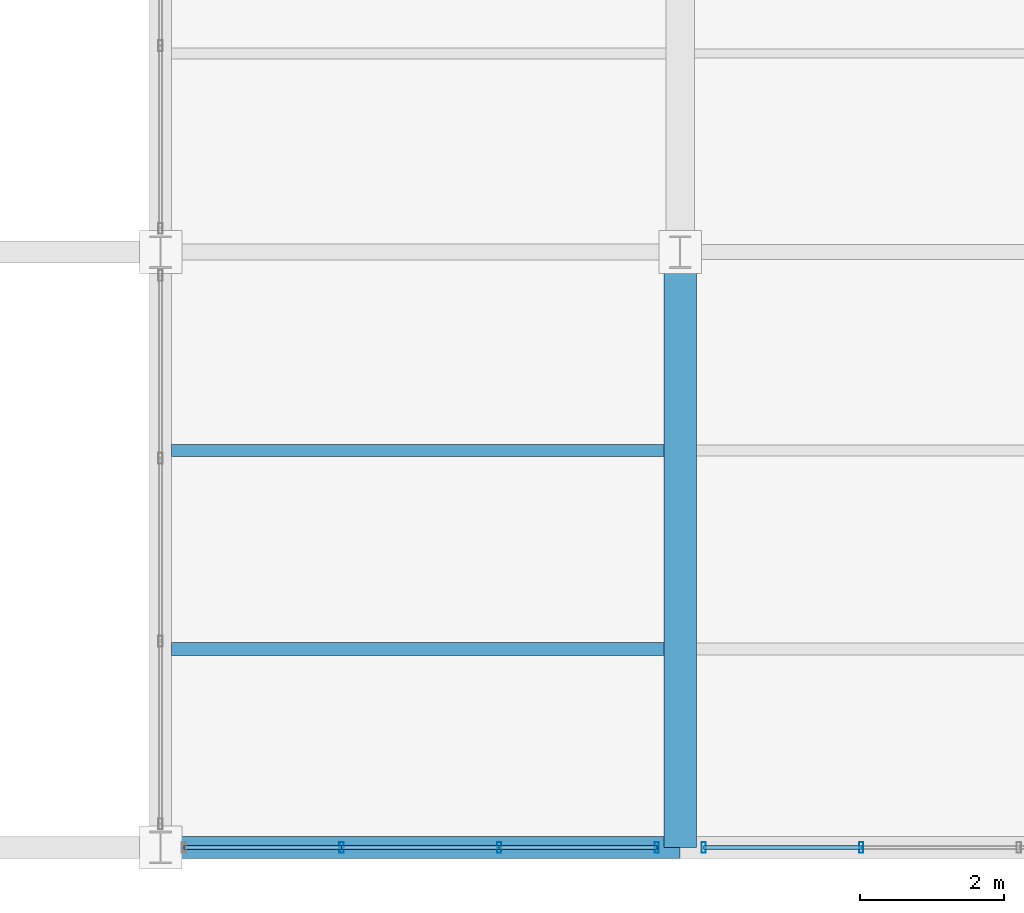
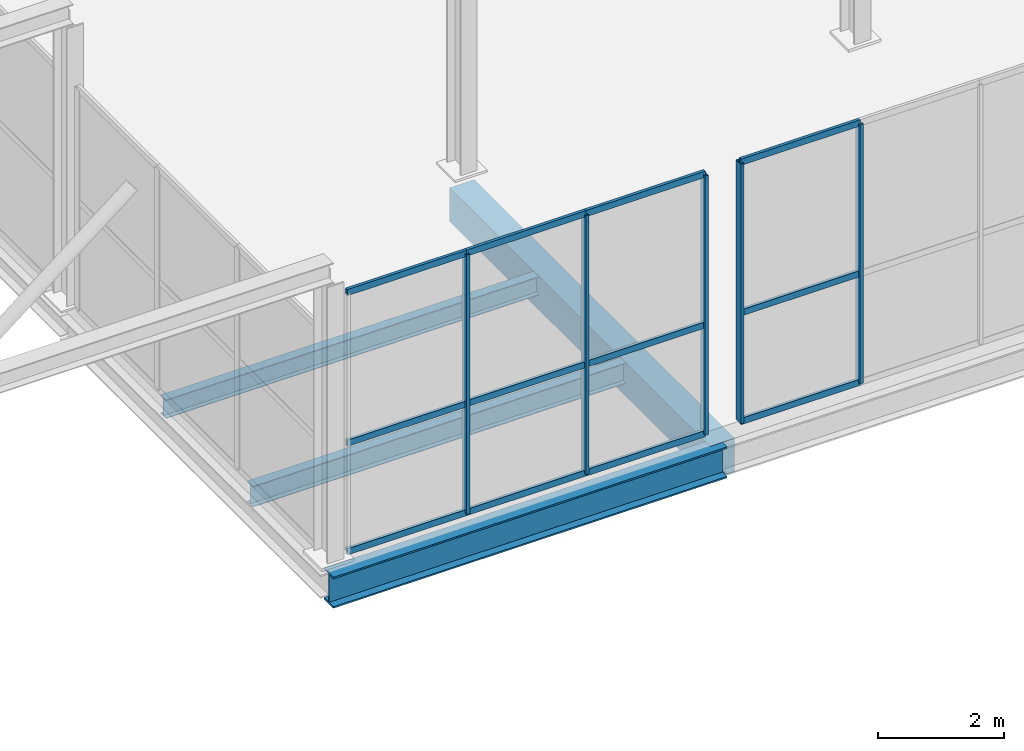
# One storey, part 27 of 147: 17 members, 4 beams, 2 elements without a shape of their own.
"""IFC4 building model written with IfcOpenShell, lengths in metres."""

from ifc_helpers import new_model, si_unit, direction, frame, origin, origin_2d, place, context, subcontext, project, spatial, rectangle, hollow_rectangle, i_section, extrude, material, layer, layer_set, material_profile, profile_set, type_object, element, aggregate, save


model = new_model("IFC4")

# Units and contexts
model_context = context("Model", 3, precision=1e-05, world=origin(), true_north=direction((0.0, 1.0)))
body_context = subcontext(model_context, "Body", "Model", "MODEL_VIEW")
ifc_project = project(units=[si_unit("LENGTHUNIT", "METRE"), si_unit("AREAUNIT", "SQUARE_METRE"), si_unit("VOLUMEUNIT", "CUBIC_METRE"), si_unit("PLANEANGLEUNIT", "RADIAN"), si_unit("MASSUNIT", "GRAM", prefix="KILO")], contexts=[model_context])

# Site, building, storey
site_placement = place(None, origin())
site = spatial("IfcSite", under=ifc_project, at=site_placement, CompositionType="ELEMENT")
building_placement = place(site_placement, origin())
building = spatial("IfcBuilding", under=site, at=building_placement, Name="Sundgate Opera House", CompositionType="ELEMENT")
storey_placement = place(building_placement, frame((0.0, 0.0, 6.0)))
storey = spatial("IfcBuildingStorey", under=building, at=storey_placement, Name="L01", CompositionType="ELEMENT", Elevation=6.0)

# Beams
ifc_material_1 = material(Name="Steel S355J2", Category="steel")
ifc_material_profile_1 = material_profile(ifc_material_1, i_section(OverallWidth=0.300048828125, OverallDepth=0.60009765625, WebThickness=0.015380859375, FlangeThickness=0.030029296875, at=origin_2d()), Name="HEB 600")
ifc_profile_set_1 = profile_set([ifc_material_profile_1], Name="Steel S355J2")
beam_type_1 = type_object("IfcBeamType", Name="BM-GR-HEB600", PredefinedType="BEAM", material=ifc_profile_set_1)
beam_1_placement = place(storey_placement, frame((95.39990234375, 0.0, -0.60009765625), z_axis=(1.0, 0.0, 0.0), x_axis=(0.0, 1.0, 0.0)))
element("IfcBeam", 1, at=beam_1_placement, inside=storey, type_object=beam_type_1, Name="L01 Primary E-W Girder B1272", PredefinedType="BEAM", context=body_context, shape_type="SweptSolid", body=[
    extrude(i_section(OverallWidth=0.300048828125, OverallDepth=0.60009765625, WebThickness=0.015380859375, FlangeThickness=0.030029296875, at=origin_2d()), origin(), (0.0, 0.0, 1.0), 7.2001953125),
])
ifc_material_2 = material(Name="Steel S355J2", Category="steel")
ifc_material_profile_2 = material_profile(ifc_material_2, i_section(OverallWidth=0.169921875, OverallDepth=0.360107421875, WebThickness=0.008056640625, FlangeThickness=0.0126953125, at=origin_2d()), Name="IPE 360")
ifc_profile_set_2 = profile_set([ifc_material_profile_2], Name="Steel S355J2")
beam_type_2 = type_object("IfcBeamType", Name="BM-JS-IPE360", PredefinedType="JOIST", material=ifc_profile_set_2)
beam_2_placement = place(storey_placement, frame((95.550048828125, 5.5, -0.47998046875), z_axis=(1.0, 0.0, 0.0), x_axis=(0.0, 1.0, 0.0)))
element("IfcBeam", 2, at=beam_2_placement, inside=storey, type_object=beam_type_2, Name="L01 Secondary Floor Joist B1479", PredefinedType="JOIST", context=body_context, shape_type="SweptSolid", body=[
    extrude(i_section(OverallWidth=0.169921875, OverallDepth=0.360107421875, WebThickness=0.008056640625, FlangeThickness=0.0126953125, at=origin_2d()), origin(), (0.0, 0.0, 1.0), 6.824951171875),
])
ifc_material_3 = material(Name="Steel S355J2", Category="steel")
ifc_material_profile_3 = material_profile(ifc_material_3, i_section(OverallWidth=0.179931640625, OverallDepth=0.39990234375, WebThickness=0.008544921875, FlangeThickness=0.013427734375, at=origin_2d()), Name="IPE 400")
ifc_profile_set_3 = profile_set([ifc_material_profile_3], Name="Steel S355J2")
beam_type_3 = type_object("IfcBeamType", Name="BM-JS-IPE400", PredefinedType="JOIST", material=ifc_profile_set_3)
beam_3_placement = place(storey_placement, frame((95.550048828125, 2.75, -0.5), z_axis=(1.0, 0.0, 0.0), x_axis=(0.0, 1.0, 0.0)))
element("IfcBeam", 3, at=beam_3_placement, inside=storey, type_object=beam_type_3, Name="L01 Secondary Floor Joist B1478", PredefinedType="JOIST", context=body_context, shape_type="SweptSolid", body=[
    extrude(i_section(OverallWidth=0.179931640625, OverallDepth=0.39990234375, WebThickness=0.008544921875, FlangeThickness=0.013427734375, at=origin_2d()), origin(), (0.0, 0.0, 1.0), 6.824951171875),
])
ifc_material_4 = material(Name="Concrete C35/45", Category="concrete")
ifc_material_profile_4 = material_profile(ifc_material_4, rectangle(XDim=0.449951171875, YDim=0.64990234375, at=origin_2d()), Name="RC 450x650")
ifc_profile_set_4 = profile_set([ifc_material_profile_4], Name="Concrete C35/45")
beam_type_4 = type_object("IfcBeamType", Name="BM-RC-450x650", PredefinedType="BEAM", material=ifc_profile_set_4)
beam_4_placement = place(storey_placement, frame((102.60009765625, 0.0, -0.625), z_axis=(0.0, 1.0, 0.0), x_axis=(-1.0, 0.0, 0.0)))
element("IfcBeam", 4, at=beam_4_placement, inside=storey, type_object=beam_type_4, Name="L01 Primary N-S Girder B1157", PredefinedType="BEAM", context=body_context, shape_type="SweptSolid", body=[
    extrude(rectangle(XDim=0.449951171875, YDim=0.64990234375, at=origin_2d()), origin(), (0.0, 0.0, 1.0), 8.25),
])

# Curtain wall, members
ifc_material_5 = material(Name="Anodized aluminium and low-iron glass", Category="aluminium")
ifc_layer = layer(ifc_material_5, 0.14990234375)
ifc_layer_set = layer_set([ifc_layer], Name="Anodized aluminium and low-iron glass")
curtain_wall_type = type_object("IfcCurtainWallType", Name="CW-WORKSHOP-DARK", PredefinedType="NOTDEFINED", material=ifc_layer_set)
curtain_wall_1_placement = place(storey_placement, origin())
curtain_wall_1 = element("IfcCurtainWall", 5, at=curtain_wall_1_placement, inside=storey, type_object=curtain_wall_type, Name="L01 Curtain Wall CW135", PredefinedType="NOTDEFINED")
ifc_material_6 = material(Name="Anodized aluminium EN AW-6063", Category="aluminium")
ifc_material_profile_5 = material_profile(ifc_material_6, hollow_rectangle(XDim=0.06005859375, YDim=0.14990234375, WallThickness=0.00390625, at=origin_2d()), Name="CWM 150x60x4")
ifc_profile_set_5 = profile_set([ifc_material_profile_5], Name="Anodized aluminium EN AW-6063")
member_type_1 = type_object("IfcMemberType", Name="CWM-ALU-150x60", PredefinedType="MULLION", material=ifc_profile_set_5)
member_1_placement = place(storey_placement, frame((102.27490234375, 0.0, 0.0), z_axis=(0.0, 0.0, 1.0), x_axis=(1.0, 0.0, 0.0)))
member_1 = element("IfcMember", 6, at=member_1_placement, type_object=member_type_1, Name="CW135 Mullion 1", PredefinedType="MULLION", context=body_context, shape_type="SweptSolid", body=[
    extrude(hollow_rectangle(XDim=0.06005859375, YDim=0.14990234375, WallThickness=0.00390625, at=origin_2d()), origin(), (0.0, 0.0, 1.0), 5.014892578125),
])
member_2_placement = place(storey_placement, frame((100.091552734375, 0.0, 0.0), z_axis=(0.0, 0.0, 1.0), x_axis=(1.0, 0.0, 0.0)))
member_2 = element("IfcMember", 7, at=member_2_placement, type_object=member_type_1, Name="CW135 Mullion 2", PredefinedType="MULLION", context=body_context, shape_type="SweptSolid", body=[
    extrude(hollow_rectangle(XDim=0.06005859375, YDim=0.14990234375, WallThickness=0.00390625, at=origin_2d()), origin(), (0.0, 0.0, 1.0), 5.014892578125),
])
member_3_placement = place(storey_placement, frame((97.908447265625, 0.0, 0.0), z_axis=(0.0, 0.0, 1.0), x_axis=(1.0, 0.0, 0.0)))
member_3 = element("IfcMember", 8, at=member_3_placement, type_object=member_type_1, Name="CW135 Mullion 3", PredefinedType="MULLION", context=body_context, shape_type="SweptSolid", body=[
    extrude(hollow_rectangle(XDim=0.06005859375, YDim=0.14990234375, WallThickness=0.00390625, at=origin_2d()), origin(), (0.0, 0.0, 1.0), 5.014892578125),
])

curtain_wall_2_placement = place(storey_placement, origin())
curtain_wall_2 = element("IfcCurtainWall", 9, at=curtain_wall_2_placement, inside=storey, type_object=curtain_wall_type, Name="L01 Curtain Wall CW136", PredefinedType="NOTDEFINED")
member_4_placement = place(storey_placement, frame((105.1083984375, 0.0, 0.0), z_axis=(0.0, 0.0, 1.0), x_axis=(1.0, 0.0, 0.0)))
member_4 = element("IfcMember", 10, at=member_4_placement, type_object=member_type_1, Name="CW136 Mullion 3", PredefinedType="MULLION", context=body_context, shape_type="SweptSolid", body=[
    extrude(hollow_rectangle(XDim=0.06005859375, YDim=0.14990234375, WallThickness=0.00390625, at=origin_2d()), origin(), (0.0, 0.0, 1.0), 5.014892578125),
])
member_5_placement = place(storey_placement, frame((102.925048828125, 0.0, 0.0), z_axis=(0.0, 0.0, 1.0), x_axis=(1.0, 0.0, 0.0)))
member_5 = element("IfcMember", 11, at=member_5_placement, type_object=member_type_1, Name="CW136 Mullion 4", PredefinedType="MULLION", context=body_context, shape_type="SweptSolid", body=[
    extrude(hollow_rectangle(XDim=0.06005859375, YDim=0.14990234375, WallThickness=0.00390625, at=origin_2d()), origin(), (0.0, 0.0, 1.0), 5.014892578125),
])

# Member
ifc_material_7 = material(Name="Anodized aluminium EN AW-6063", Category="aluminium")
ifc_material_profile_6 = material_profile(ifc_material_7, hollow_rectangle(XDim=0.054931640625, YDim=0.1201171875, WallThickness=0.00390625, at=origin_2d()), Name="CWT 120x55x4")
ifc_profile_set_6 = profile_set([ifc_material_profile_6], Name="Anodized aluminium EN AW-6063")
member_type_2 = type_object("IfcMemberType", Name="CWT-ALU-120x55", PredefinedType="USERDEFINED", material=ifc_profile_set_6)
member_6_placement = place(storey_placement, frame((102.27490234375, 0.0, 0.0), z_axis=(-1.0, 0.0, 0.0), x_axis=(0.0, -1.0, 0.0)))
member_6 = element("IfcMember", 12, at=member_6_placement, type_object=member_type_2, Name="CW135 Transom 1", ObjectType="TRANSOM", PredefinedType="USERDEFINED", context=body_context, shape_type="SweptSolid", body=[
    extrude(hollow_rectangle(XDim=0.054931640625, YDim=0.1201171875, WallThickness=0.00390625, at=origin_2d()), origin(), (0.0, 0.0, 1.0), 2.183349609375),
])

member_7_placement = place(storey_placement, frame((102.27490234375, 0.0, 2.10009765625), z_axis=(-1.0, 0.0, 0.0), x_axis=(0.0, -1.0, 0.0)))
member_7 = element("IfcMember", 13, at=member_7_placement, type_object=member_type_2, Name="CW135 Transom 2", ObjectType="TRANSOM", PredefinedType="USERDEFINED", context=body_context, shape_type="SweptSolid", body=[
    extrude(hollow_rectangle(XDim=0.054931640625, YDim=0.1201171875, WallThickness=0.00390625, at=origin_2d()), origin(), (0.0, 0.0, 1.0), 2.183349609375),
])

member_8_placement = place(storey_placement, frame((102.27490234375, 0.0, 5.014892578125), z_axis=(-1.0, 0.0, 0.0), x_axis=(0.0, -1.0, 0.0)))
member_8 = element("IfcMember", 14, at=member_8_placement, type_object=member_type_2, Name="CW135 Transom 3", ObjectType="TRANSOM", PredefinedType="USERDEFINED", context=body_context, shape_type="SweptSolid", body=[
    extrude(hollow_rectangle(XDim=0.054931640625, YDim=0.1201171875, WallThickness=0.00390625, at=origin_2d()), origin(), (0.0, 0.0, 1.0), 2.183349609375),
])

member_9_placement = place(storey_placement, frame((100.091552734375, 0.0, 0.0), z_axis=(-1.0, 0.0, 0.0), x_axis=(0.0, -1.0, 0.0)))
member_9 = element("IfcMember", 15, at=member_9_placement, type_object=member_type_2, Name="CW135 Transom 4", ObjectType="TRANSOM", PredefinedType="USERDEFINED", context=body_context, shape_type="SweptSolid", body=[
    extrude(hollow_rectangle(XDim=0.054931640625, YDim=0.1201171875, WallThickness=0.00390625, at=origin_2d()), origin(), (0.0, 0.0, 1.0), 2.18310546875),
])

member_10_placement = place(storey_placement, frame((100.091552734375, 0.0, 2.10009765625), z_axis=(-1.0, 0.0, 0.0), x_axis=(0.0, -1.0, 0.0)))
member_10 = element("IfcMember", 16, at=member_10_placement, type_object=member_type_2, Name="CW135 Transom 5", ObjectType="TRANSOM", PredefinedType="USERDEFINED", context=body_context, shape_type="SweptSolid", body=[
    extrude(hollow_rectangle(XDim=0.054931640625, YDim=0.1201171875, WallThickness=0.00390625, at=origin_2d()), origin(), (0.0, 0.0, 1.0), 2.18310546875),
])

member_11_placement = place(storey_placement, frame((100.091552734375, 0.0, 5.014892578125), z_axis=(-1.0, 0.0, 0.0), x_axis=(0.0, -1.0, 0.0)))
member_11 = element("IfcMember", 17, at=member_11_placement, type_object=member_type_2, Name="CW135 Transom 6", ObjectType="TRANSOM", PredefinedType="USERDEFINED", context=body_context, shape_type="SweptSolid", body=[
    extrude(hollow_rectangle(XDim=0.054931640625, YDim=0.1201171875, WallThickness=0.00390625, at=origin_2d()), origin(), (0.0, 0.0, 1.0), 2.18310546875),
])

member_12_placement = place(storey_placement, frame((97.908447265625, 0.0, 0.0), z_axis=(-1.0, 0.0, 0.0), x_axis=(0.0, -1.0, 0.0)))
member_12 = element("IfcMember", 18, at=member_12_placement, type_object=member_type_2, Name="CW135 Transom 7", ObjectType="TRANSOM", PredefinedType="USERDEFINED", context=body_context, shape_type="SweptSolid", body=[
    extrude(hollow_rectangle(XDim=0.054931640625, YDim=0.1201171875, WallThickness=0.00390625, at=origin_2d()), origin(), (0.0, 0.0, 1.0), 2.183349609375),
])

member_13_placement = place(storey_placement, frame((97.908447265625, 0.0, 2.10009765625), z_axis=(-1.0, 0.0, 0.0), x_axis=(0.0, -1.0, 0.0)))
member_13 = element("IfcMember", 19, at=member_13_placement, type_object=member_type_2, Name="CW135 Transom 8", ObjectType="TRANSOM", PredefinedType="USERDEFINED", context=body_context, shape_type="SweptSolid", body=[
    extrude(hollow_rectangle(XDim=0.054931640625, YDim=0.1201171875, WallThickness=0.00390625, at=origin_2d()), origin(), (0.0, 0.0, 1.0), 2.183349609375),
])

member_14_placement = place(storey_placement, frame((97.908447265625, 0.0, 5.014892578125), z_axis=(-1.0, 0.0, 0.0), x_axis=(0.0, -1.0, 0.0)))
member_14 = element("IfcMember", 20, at=member_14_placement, type_object=member_type_2, Name="CW135 Transom 9", ObjectType="TRANSOM", PredefinedType="USERDEFINED", context=body_context, shape_type="SweptSolid", body=[
    extrude(hollow_rectangle(XDim=0.054931640625, YDim=0.1201171875, WallThickness=0.00390625, at=origin_2d()), origin(), (0.0, 0.0, 1.0), 2.183349609375),
])

aggregate(curtain_wall_1, [member_1, member_2, member_3, member_6, member_7, member_8, member_9, member_10, member_11, member_12, member_13, member_14])

member_15_placement = place(storey_placement, frame((105.1083984375, 0.0, 0.0), z_axis=(-1.0, 0.0, 0.0), x_axis=(0.0, -1.0, 0.0)))
member_15 = element("IfcMember", 21, at=member_15_placement, type_object=member_type_2, Name="CW136 Transom 7", ObjectType="TRANSOM", PredefinedType="USERDEFINED", context=body_context, shape_type="SweptSolid", body=[
    extrude(hollow_rectangle(XDim=0.054931640625, YDim=0.1201171875, WallThickness=0.00390625, at=origin_2d()), origin(), (0.0, 0.0, 1.0), 2.183349609375),
])

member_16_placement = place(storey_placement, frame((105.1083984375, 0.0, 2.10009765625), z_axis=(-1.0, 0.0, 0.0), x_axis=(0.0, -1.0, 0.0)))
member_16 = element("IfcMember", 22, at=member_16_placement, type_object=member_type_2, Name="CW136 Transom 8", ObjectType="TRANSOM", PredefinedType="USERDEFINED", context=body_context, shape_type="SweptSolid", body=[
    extrude(hollow_rectangle(XDim=0.054931640625, YDim=0.1201171875, WallThickness=0.00390625, at=origin_2d()), origin(), (0.0, 0.0, 1.0), 2.183349609375),
])

member_17_placement = place(storey_placement, frame((105.1083984375, 0.0, 5.014892578125), z_axis=(-1.0, 0.0, 0.0), x_axis=(0.0, -1.0, 0.0)))
member_17 = element("IfcMember", 23, at=member_17_placement, type_object=member_type_2, Name="CW136 Transom 9", ObjectType="TRANSOM", PredefinedType="USERDEFINED", context=body_context, shape_type="SweptSolid", body=[
    extrude(hollow_rectangle(XDim=0.054931640625, YDim=0.1201171875, WallThickness=0.00390625, at=origin_2d()), origin(), (0.0, 0.0, 1.0), 2.183349609375),
])

aggregate(curtain_wall_2, [member_4, member_5, member_15, member_16, member_17])

save(model, "model.ifc")
